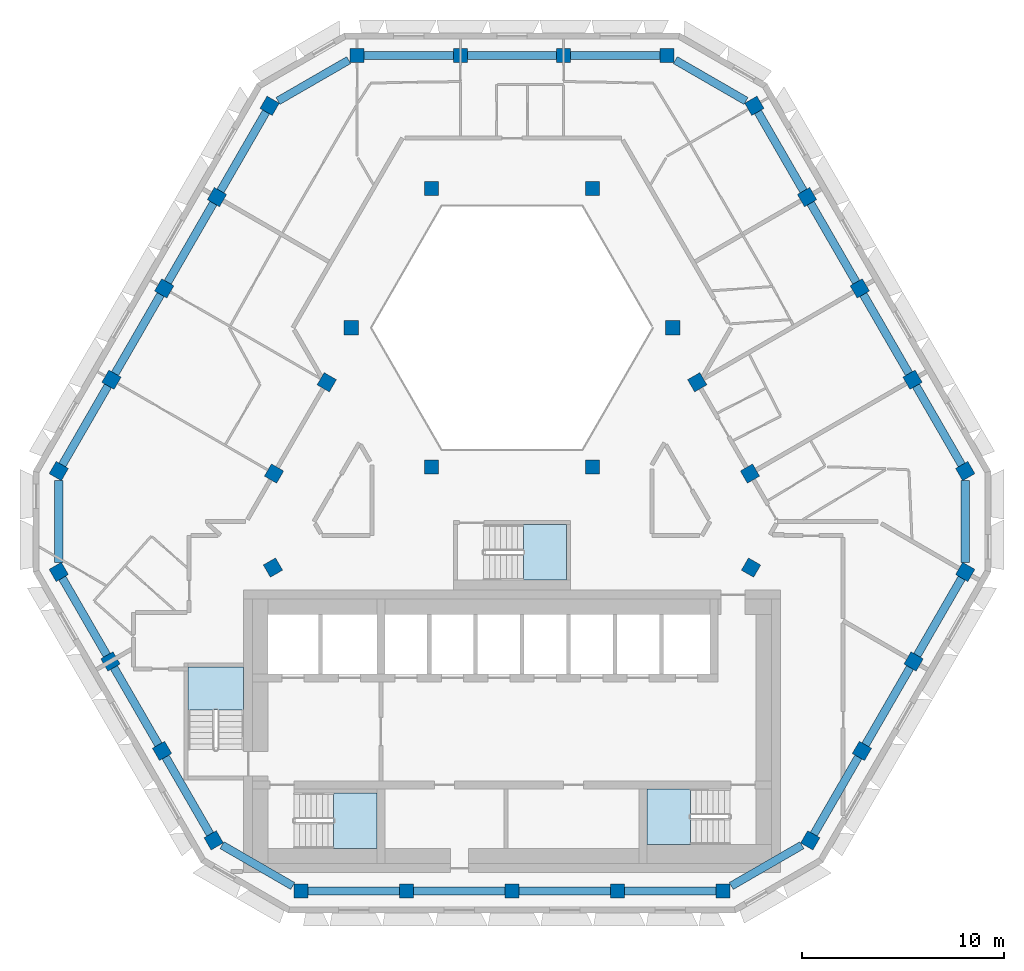
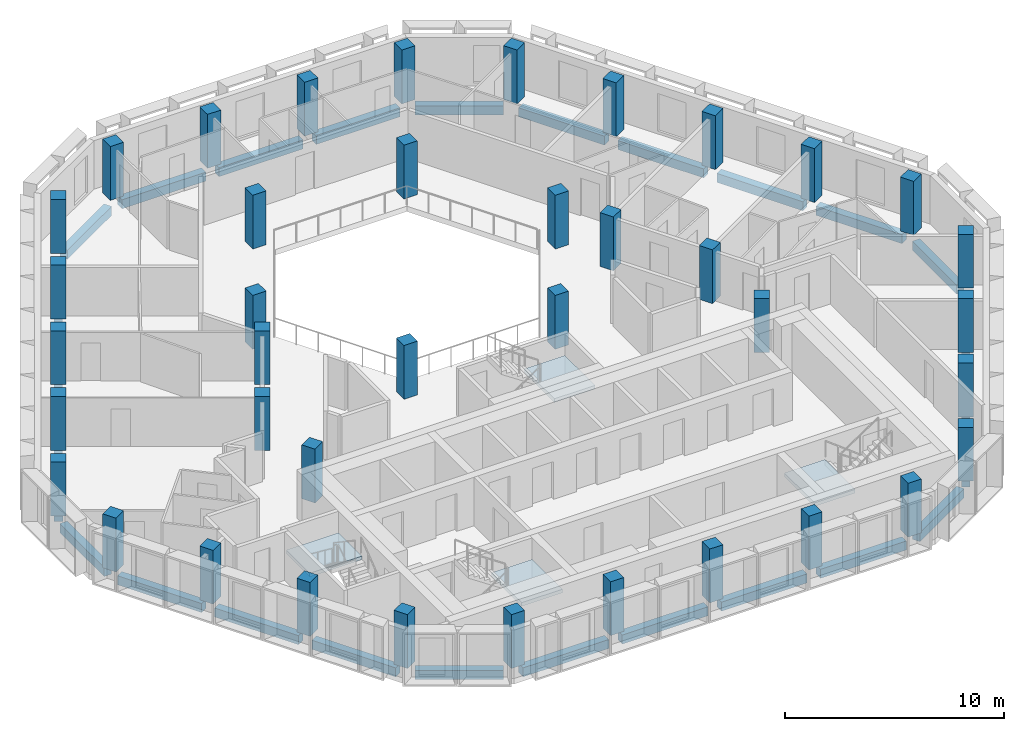
# One storey, part 1 of 14: 39 columns, 27 beams, 4 slabs, 4 elements without a shape of their own.
"""IFC4 building model written with IfcOpenShell, lengths in metres."""

import ifcopenshell
import ifcopenshell.guid

model = None  # the IFC model being written
_history = None  # IfcOwnerHistory: only IFC2X3 demands one
_inside = {}  # id of a spatial element -> (the spatial element, [elements in it])
_under = {}  # id of a project, library or spatial element -> (it, [spatial elements below it])
_declared = {}  # id of a project -> (the project, [libraries it declares])
_typed = {}  # id of a type object -> (the type object, [elements of that type])
_made_of = {}  # id of a material, layer set ... -> (it, [elements and type objects made of it])


def new_model(schema):
    """Start an empty IFC model of exactly this schema.

    Asked for "IFC4X3", IfcOpenShell would pick the latest addendum, in which some entities
    have other attributes; the version numbers below select the first issue.
    IFC2X3 requires an IfcOwnerHistory on every rooted entity: one is made here for all.
    """
    global model, _history
    if schema == "IFC4X3":
        model = ifcopenshell.file(schema_version=(4, 3, 0, 0))
    else:
        model = ifcopenshell.file(schema=schema)
    _inside.clear()
    _under.clear()
    _declared.clear()
    _typed.clear()
    _made_of.clear()
    _history = None
    if model.schema == "IFC2X3":
        org = make("IfcOrganization", Name="unknown")
        user = make(
            "IfcPersonAndOrganization",
            ThePerson=make("IfcPerson", FamilyName="unknown"),
            TheOrganization=org,
        )
        app = make(
            "IfcApplication",
            ApplicationDeveloper=org,
            Version="unknown",
            ApplicationFullName="unknown",
            ApplicationIdentifier="unknown",
        )
        _history = make(
            "IfcOwnerHistory",
            OwningUser=user,
            OwningApplication=app,
            ChangeAction="ADDED",
            CreationDate=0,
        )
    return model


def make(cls, **values):
    """One entity of the class cls with the attributes given. An attribute that is None is left unset."""
    return model.create_entity(
        cls, **{name: value for name, value in values.items() if value is not None}
    )


def rooted(cls, **values):
    """An entity with a GlobalId (a new one), such as an element, a storey or a relation."""
    return make(cls, GlobalId=ifcopenshell.guid.new(), OwnerHistory=_history, **values)


def si_unit(unit_type, name, prefix=None):
    """IfcSIUnit, for example si_unit("LENGTHUNIT", "METRE", prefix="MILLI")."""
    return make("IfcSIUnit", UnitType=unit_type, Prefix=prefix, Name=name)


def assignment(units):
    """IfcUnitAssignment: the units of a project."""
    return None if units is None else make("IfcUnitAssignment", Units=units)


def point(xyz):
    """IfcCartesianPoint."""
    return None if xyz is None else make("IfcCartesianPoint", Coordinates=xyz)


def direction(xyz):
    """IfcDirection."""
    return None if xyz is None else make("IfcDirection", DirectionRatios=xyz)


def frame(location, z_axis=None, x_axis=None):
    """IfcAxis2Placement3D, a coordinate frame: its origin and axes. An axis left out is left unset."""
    return make(
        "IfcAxis2Placement3D",
        Location=point(location),
        Axis=direction(z_axis),
        RefDirection=direction(x_axis),
    )


def frame_2d(location, x_axis=None):
    """IfcAxis2Placement2D, a coordinate frame in the plane: its origin and x axis."""
    return make(
        "IfcAxis2Placement2D", Location=point(location), RefDirection=direction(x_axis)
    )


def origin():
    """The frame at (0, 0, 0) with its axes left unset."""
    return frame((0.0, 0.0, 0.0))


def origin_2d():
    """The frame at (0, 0) in the plane with its x axis left unset."""
    return frame_2d((0.0, 0.0))


def place(relative_to, where):
    """IfcLocalPlacement: puts the frame where relative to a parent placement (None: the world)."""
    return make(
        "IfcLocalPlacement", PlacementRelTo=relative_to, RelativePlacement=where
    )


def context(
    kind, dimensions, precision=None, world=None, true_north=None, identifier=None
):
    """IfcGeometricRepresentationContext, for example the 3D "Model" context."""
    return make(
        "IfcGeometricRepresentationContext",
        ContextIdentifier=identifier,
        ContextType=kind,
        CoordinateSpaceDimension=dimensions,
        Precision=precision,
        WorldCoordinateSystem=world,
        TrueNorth=true_north,
    )


def subcontext(parent, identifier, kind, view, scale=None):
    """IfcGeometricRepresentationSubContext, for example "Body" below "Model"."""
    return make(
        "IfcGeometricRepresentationSubContext",
        ContextIdentifier=identifier,
        ContextType=kind,
        ParentContext=parent,
        TargetScale=scale,
        TargetView=view,
    )


def project(units=None, contexts=None):
    """IfcProject with its units and contexts."""
    return rooted(
        "IfcProject",
        Name="project",
        RepresentationContexts=contexts,
        UnitsInContext=assignment(units),
    )


def spatial(cls, under=None, at=None, **own):
    """A site, building, storey or space (cls), placed at a placement, below another one or the project."""
    s = rooted(cls, ObjectPlacement=at, **own)
    if under is not None:
        _under.setdefault(under.id(), (under, []))[1].append(s)
    return s


def polyline(points):
    """IfcPolyline through the points."""
    return make("IfcPolyline", Points=[point(p) for p in points])


def profile(cls, at=None, kind="AREA", **sizes):
    """A parametric profile (cls). Its sizes go by their IFC names, for example OverallWidth=200.0."""
    return make(cls, ProfileType=kind, Position=at, **sizes)


def rectangle(**sizes):
    """IfcRectangleProfileDef."""
    return profile("IfcRectangleProfileDef", **sizes)


def outline(outer, holes=None, kind="AREA"):
    """IfcArbitraryClosedProfileDef: a profile drawn as a closed curve; with holes, ...WithVoids."""
    if holes is None:
        return make("IfcArbitraryClosedProfileDef", ProfileType=kind, OuterCurve=outer)
    return make(
        "IfcArbitraryProfileDefWithVoids",
        ProfileType=kind,
        OuterCurve=outer,
        InnerCurves=holes,
    )


def extrude(swept, where, along, depth):
    """IfcExtrudedAreaSolid: the profile swept, set in the frame where, extruded along a direction by depth."""
    return make(
        "IfcExtrudedAreaSolid",
        SweptArea=swept,
        Position=where,
        ExtrudedDirection=direction(along),
        Depth=depth,
    )


def shape(context_of_items, identifier, shape_type, items):
    """IfcShapeRepresentation: the items that make up one representation, for example the "Body"."""
    return make(
        "IfcShapeRepresentation",
        ContextOfItems=context_of_items,
        RepresentationIdentifier=identifier,
        RepresentationType=shape_type,
        Items=items,
    )


def material(Name=None, Category=None):
    """IfcMaterial."""
    return make("IfcMaterial", Name=Name, Category=Category)


def layer(
    of_material, thickness, ventilated=None, Name=None, Category=None, Priority=None
):
    """IfcMaterialLayer: one layer of a wall or slab, of a material (None: an air gap)."""
    return make(
        "IfcMaterialLayer",
        Material=of_material,
        LayerThickness=thickness,
        IsVentilated=ventilated,
        Name=Name,
        Category=Category,
        Priority=Priority,
    )


def layer_set(layers, Name=None):
    """IfcMaterialLayerSet."""
    return make("IfcMaterialLayerSet", MaterialLayers=layers, LayerSetName=Name)


def material_profile(
    of_material, cross_section, Name=None, Category=None, Priority=None
):
    """IfcMaterialProfile: a cross section and its material."""
    return make(
        "IfcMaterialProfile",
        Name=Name,
        Material=of_material,
        Profile=cross_section,
        Priority=Priority,
        Category=Category,
    )


def profile_set(profiles, Name=None, composite=None):
    """IfcMaterialProfileSet."""
    return make(
        "IfcMaterialProfileSet",
        Name=Name,
        MaterialProfiles=profiles,
        CompositeProfile=composite,
    )


def made_of(thing, what):
    """Note that an element or type object is made of a material, layer set ...; save() writes the relation."""
    if what is not None:
        _made_of.setdefault(what.id(), (what, []))[1].append(thing)
    return thing


def type_object(cls, material=None, **own):
    """A type object (cls), such as IfcWallType, which elements share."""
    return made_of(rooted(cls, **own), material)


def element(
    cls,
    number,
    at=None,
    inside=None,
    cuts=None,
    type_object=None,
    material=None,
    context=None,
    identifier="Body",
    shape_type=None,
    held_by="IfcProductDefinitionShape",
    body=None,
    shapes=None,
    **own,
):
    """One element of the class cls, such as IfcWall. Its Tag is "e" and its number.

    at: its placement. inside: the storey or other place that contains it. cuts: it is an
    opening in that element (IfcRelVoidsElement). A single representation is given by context,
    identifier, shape_type and body (its items); several are given by shapes. held_by: the class
    of the entity that holds the representations. save() writes the other relations.
    """
    e = rooted(cls, Tag="e%d" % number, ObjectPlacement=at, **own)
    if body is not None:
        shapes = [shape(context, identifier, shape_type, body)]
    if shapes is not None:
        e.Representation = make(held_by, Representations=shapes)
    if inside is not None:
        _inside.setdefault(inside.id(), (inside, []))[1].append(e)
    if cuts is not None:
        rooted(
            "IfcRelVoidsElement", RelatingBuildingElement=cuts, RelatedOpeningElement=e
        )
    if type_object is not None:
        _typed.setdefault(type_object.id(), (type_object, []))[1].append(e)
    return made_of(e, material)


def aggregate(whole, parts):
    """IfcRelAggregates: a whole, such as a stair, and the parts it consists of."""
    return rooted("IfcRelAggregates", RelatingObject=whole, RelatedObjects=parts)


def save(model, path):
    """Write the relations noted so far, then the file.

    IfcRelAggregates (storeys below a building ...), IfcRelContainedInSpatialStructure (elements
    in a storey), IfcRelDefinesByType, IfcRelAssociatesMaterial and IfcRelDeclares: one each for
    every whole, place, type object, material and project.
    """
    for whole, parts in _under.values():
        aggregate(whole, parts)
    for where, things in _inside.values():
        rooted(
            "IfcRelContainedInSpatialStructure",
            RelatedElements=things,
            RelatingStructure=where,
        )
    for kind, things in _typed.values():
        rooted("IfcRelDefinesByType", RelatedObjects=things, RelatingType=kind)
    for what, things in _made_of.values():
        rooted("IfcRelAssociatesMaterial", RelatedObjects=things, RelatingMaterial=what)
    for by, libraries in _declared.values():
        rooted("IfcRelDeclares", RelatingContext=by, RelatedDefinitions=libraries)
    model.write(path)


model = new_model("IFC4")

# Units and contexts
model_context = context("Model", 3, precision=1e-05, world=origin(), true_north=direction((0.0, 1.0)))
body_context = subcontext(model_context, "Body", "Model", "MODEL_VIEW")
ifc_project = project(units=[si_unit("LENGTHUNIT", "METRE"), si_unit("AREAUNIT", "SQUARE_METRE"), si_unit("VOLUMEUNIT", "CUBIC_METRE"), si_unit("PLANEANGLEUNIT", "RADIAN"), si_unit("MASSUNIT", "GRAM", prefix="KILO")], contexts=[model_context])

# Site, building, storey
site_placement = place(None, origin())
site = spatial("IfcSite", under=ifc_project, at=site_placement, CompositionType="ELEMENT")
building_placement = place(site_placement, origin())
building = spatial("IfcBuilding", under=site, at=building_placement, Name="Beryl Residences", CompositionType="ELEMENT")
storey_placement = place(building_placement, frame((0.0, 0.0, 235.800048828125)))
storey = spatial("IfcBuildingStorey", under=building, at=storey_placement, Name="L73", CompositionType="ELEMENT", Elevation=235.800048828125)

# Columns
ifc_material_1 = material(Name="Concrete C50/60", Category="concrete")
ifc_material_profile_1 = material_profile(ifc_material_1, rectangle(XDim=0.699951171875, YDim=0.699951171875, at=origin_2d()))
ifc_profile_set_1 = profile_set([ifc_material_profile_1], Name="Concrete C50/60")
column_type_1 = type_object("IfcColumnType", Name="C5 tube column 700 x 700 C50/60", PredefinedType="COLUMN", material=ifc_profile_set_1)
for number, where, z_axis, x_axis, name in (
    (1, (7.678955078125, 21.5, 0.0), (0.0, 0.0, 1.0), (-1.0, 0.0, 0.0), "C5-N1 L73"),
    (2, (2.56005859375, 21.5, 0.0), (0.0, 0.0, 1.0), (-1.0, 0.0, 0.0), "C5-N2 L73"),
    (3, (-2.55908203125, 21.5, 0.0), (0.0, 0.0, 1.0), (-1.0, 0.0, 0.0), "C5-N3 L73"),
    (4, (-7.677978515625, 21.5, 0.0), (0.0, 0.0, 1.0), (-1.0, 0.0, 0.0), "C5-N4 L73"),
    (5, (-12.009033203125, 19.0, 0.0), (0.0, 0.0, 1.0), (-0.499969769706, -0.866042856549, 0.0), "C5-NW1 L73"),
    (6, (-14.62109375, 14.47509765625, 0.0), (0.0, 0.0, 1.0), (-0.499969769706, -0.866042856549, 0.0), "C5-NW2 L73"),
    (7, (-17.23291015625, 9.949951171875, 0.0), (0.0, 0.0, 1.0), (-0.499969769706, -0.866042856549, 0.0), "C5-NW3 L73"),
    (8, (-19.845947265625, 5.425048828125, 0.0), (0.0, 0.0, 1.0), (-0.499969769706, -0.866042856549, 0.0), "C5-NW4 L73"),
    (9, (-22.4580078125, 0.89990234375, 0.0), (0.0, 0.0, 1.0), (-0.499969769706, -0.866042856549, 0.0), "C5-NW5 L73"),
    (10, (-22.458984375, -4.10009765625, 0.0), (0.0, 0.0, 1.0), (0.499984884929, -0.866034130299, 0.0), "C5-SW1 L73"),
    (11, (-19.89892578125, -8.532958984375, 0.0), (0.0, 0.0, 1.0), (0.499984884929, -0.866034130299, 0.0), "C5-SW2 L73"),
    (12, (-17.340087890625, -12.966064453125, 0.0), (0.0, 0.0, 1.0), (0.499984884929, -0.866034130299, 0.0), "C5-SW3 L73"),
    (13, (-14.781005859375, -17.39892578125, 0.0), (0.0, 0.0, 1.0), (0.499984884929, -0.866034130299, 0.0), "C5-SW4 L73"),
    (14, (-10.449951171875, -19.89990234375, 0.0), (0.0, 0.0, 1.0), (1.0, 0.0, 0.0), "C5-S1 L73"),
    (15, (-5.22509765625, -19.89990234375, 0.0), (0.0, 0.0, 1.0), (1.0, 0.0, 0.0), "C5-S2 L73"),
    (16, (0.0, -19.89990234375, 0.0), (0.0, 0.0, 1.0), (1.0, 0.0, 0.0), "C5-S3 L73"),
    (17, (5.22509765625, -19.89990234375, 0.0), (0.0, 0.0, 1.0), (1.0, 0.0, 0.0), "C5-S4 L73"),
    (18, (10.449951171875, -19.89990234375, 0.0), (0.0, 0.0, 1.0), (1.0, 0.0, 0.0), "C5-S5 L73"),
    (19, (14.780029296875, -17.39990234375, 0.0), (0.0, 0.0, 1.0), (0.499984884929, 0.866034130299, 0.0), "C5-SE1 L73"),
    (20, (17.339111328125, -12.967041015625, 0.0), (0.0, 0.0, 1.0), (0.499984884929, 0.866034130299, 0.0), "C5-SE2 L73"),
    (21, (19.89892578125, -8.533935546875, 0.0), (0.0, 0.0, 1.0), (0.499984884929, 0.866034130299, 0.0), "C5-SE3 L73"),
    (22, (22.4580078125, -4.10107421875, 0.0), (0.0, 0.0, 1.0), (0.499984884929, 0.866034130299, 0.0), "C5-SE4 L73"),
    (23, (22.4580078125, 0.89990234375, 0.0), (0.0, 0.0, 1.0), (-0.499969769706, 0.866042856549, 0.0), "C5-NE1 L73"),
    (24, (19.845947265625, 5.425048828125, 0.0), (0.0, 0.0, 1.0), (-0.499969769706, 0.866042856549, 0.0), "C5-NE2 L73"),
    (25, (17.23291015625, 9.949951171875, 0.0), (0.0, 0.0, 1.0), (-0.499969769706, 0.866042856549, 0.0), "C5-NE3 L73"),
    (26, (14.62109375, 14.47509765625, 0.0), (0.0, 0.0, 1.0), (-0.499969769706, 0.866042856549, 0.0), "C5-NE4 L73"),
    (27, (12.009033203125, 19.0, 0.0), (0.0, 0.0, 1.0), (-0.499969769706, 0.866042856549, 0.0), "C5-NE5 L73"),
):
    element("IfcColumn", number, at=place(storey_placement, frame(where, z_axis=z_axis, x_axis=x_axis)), inside=storey, type_object=column_type_1, Name=name, PredefinedType="COLUMN", context=body_context, shape_type="SweptSolid", body=[
        extrude(rectangle(XDim=0.699951171875, YDim=0.699951171875, at=origin_2d()), origin(), (0.0, 0.0, 1.0), 3.0),
    ])
ifc_material_2 = material(Name="Concrete C50/60", Category="concrete")
ifc_material_profile_2 = material_profile(ifc_material_2, rectangle(XDim=0.699951171875, YDim=0.699951171875, at=origin_2d()))
ifc_profile_set_2 = profile_set([ifc_material_profile_2], Name="Concrete C50/60")
column_type_2 = type_object("IfcColumnType", Name="IC5 interior column 700 x 700 C50/60", PredefinedType="COLUMN", material=ifc_profile_set_2)
for number, where, z_axis, x_axis, name in (
    (28, (-11.844970703125, -3.883056640625, 0.0), (0.0, 0.0, 1.0), (0.499984884929, -0.866034130299, 0.0), "IC5-M01 L73"),
    (29, (11.844970703125, -3.884033203125, 0.0), (0.0, 0.0, 1.0), (0.499984884929, 0.866034130299, 0.0), "IC5-M02 L73"),
    (30, (11.7919921875, 0.77490234375, 0.0), (0.0, 0.0, 1.0), (-0.499969769706, 0.866042856549, 0.0), "IC5-M03 L73"),
    (31, (3.98388671875, 1.10009765625, 0.0), (0.0, 0.0, 1.0), (1.0, 0.0, 0.0), "IC5-A04 L73"),
    (32, (9.178955078125, 5.300048828125, 0.0), (0.0, 0.0, 1.0), (-0.499969769706, 0.866042856549, 0.0), "IC5-M05 L73"),
    (33, (7.967041015625, 8.0, 0.0), (0.0, 0.0, 1.0), (1.0, 0.0, 0.0), "IC5-A06 L73"),
    (34, (3.98388671875, 14.89990234375, 0.0), (0.0, 0.0, 1.0), (1.0, 0.0, 0.0), "IC5-A07 L73"),
    (35, (-3.98388671875, 14.89990234375, 0.0), (0.0, 0.0, 1.0), (1.0, 0.0, 0.0), "IC5-A08 L73"),
    (36, (-7.967041015625, 8.0, 0.0), (0.0, 0.0, 1.0), (1.0, 0.0, 0.0), "IC5-A09 L73"),
    (37, (-9.178955078125, 5.300048828125, 0.0), (0.0, 0.0, 1.0), (-0.499969769706, -0.866042856549, 0.0), "IC5-M10 L73"),
    (38, (-3.98388671875, 1.10009765625, 0.0), (0.0, 0.0, 1.0), (1.0, 0.0, 0.0), "IC5-A11 L73"),
    (39, (-11.7919921875, 0.77490234375, 0.0), (0.0, 0.0, 1.0), (-0.499969769706, -0.866042856549, 0.0), "IC5-M12 L73"),
):
    element("IfcColumn", number, at=place(storey_placement, frame(where, z_axis=z_axis, x_axis=x_axis)), inside=storey, type_object=column_type_2, Name=name, PredefinedType="COLUMN", context=body_context, shape_type="SweptSolid", body=[
        extrude(rectangle(XDim=0.699951171875, YDim=0.699951171875, at=origin_2d()), origin(), (0.0, 0.0, 1.0), 3.0),
    ])

# Beams
ifc_material_3 = material(Name="Concrete C50/60", Category="concrete")
ifc_material_profile_3 = material_profile(ifc_material_3, rectangle(XDim=0.39990234375, YDim=0.5, at=origin_2d()))
ifc_profile_set_3 = profile_set([ifc_material_profile_3], Name="Concrete C50/60")
beam_type = type_object("IfcBeamType", Name="SB5 spandrel beam 400 x 500 C50/60", PredefinedType="SPANDREL", material=ifc_profile_set_3)
beam_1_placement = place(storey_placement, frame((7.3291015625, 21.5, -0.550048828125), z_axis=(-1.0, 0.0, 0.0), x_axis=(0.0, -1.0, 0.0)))
element("IfcBeam", 40, at=beam_1_placement, inside=storey, type_object=beam_type, Name="SB5 L73 N-0", PredefinedType="SPANDREL", context=body_context, shape_type="SweptSolid", body=[
    extrude(rectangle(XDim=0.39990234375, YDim=0.5, at=origin_2d()), origin(), (0.0, 0.0, 1.0), 4.419189453125),
])
for number, where, z_axis, x_axis, name in (
    (41, (2.2099609375, 21.5, -0.550048828125), (-1.0, 0.0, 0.0), (0.0, -1.0, 0.0), "SB5 L73 N-1"),
    (42, (-2.908935546875, 21.5, -0.550048828125), (-1.0, 0.0, 0.0), (0.0, -1.0, 0.0), "SB5 L73 N-2"),
):
    element("IfcBeam", number, at=place(storey_placement, frame(where, z_axis=z_axis, x_axis=x_axis)), inside=storey, type_object=beam_type, Name=name, PredefinedType="SPANDREL", context=body_context, shape_type="SweptSolid", body=[
        extrude(rectangle(XDim=0.39990234375, YDim=0.5, at=origin_2d()), origin(), (0.0, 0.0, 1.0), 4.4189453125),
    ])
beam_2_placement = place(storey_placement, frame((-8.092041015625, 21.260986328125, -0.550048828125), z_axis=(-0.866073013527, -0.499917528438, 0.0), x_axis=(0.499917528438, -0.866073013527, 0.0)))
element("IfcBeam", 43, at=beam_2_placement, inside=storey, type_object=beam_type, Name="SB5 L73 N-3", PredefinedType="SPANDREL", context=body_context, shape_type="SweptSolid", body=[
    extrude(rectangle(XDim=0.39990234375, YDim=0.5, at=origin_2d()), origin(), (0.0, 0.0, 1.0), 4.044677734375),
])
beam_3_placement = place(storey_placement, frame((-12.18408203125, 18.697021484375, -0.550048828125), z_axis=(-0.499893710643, -0.866086761277, 0.0), x_axis=(0.866086761277, -0.499893710643, 0.0)))
element("IfcBeam", 44, at=beam_3_placement, inside=storey, type_object=beam_type, Name="SB5 L73 NW-0", PredefinedType="SPANDREL", context=body_context, shape_type="SweptSolid", body=[
    extrude(rectangle(XDim=0.39990234375, YDim=0.5, at=origin_2d()), origin(), (0.0, 0.0, 1.0), 4.52490234375),
])
beam_4_placement = place(storey_placement, frame((-14.7958984375, 14.172119140625, -0.550048828125), z_axis=(-0.499910821401, -0.866076884951, 0.0), x_axis=(0.866076884951, -0.499910821401, 0.0)))
element("IfcBeam", 45, at=beam_4_placement, inside=storey, type_object=beam_type, Name="SB5 L73 NW-1", PredefinedType="SPANDREL", context=body_context, shape_type="SweptSolid", body=[
    extrude(rectangle(XDim=0.39990234375, YDim=0.5, at=origin_2d()), origin(), (0.0, 0.0, 1.0), 4.525146484375),
])
beam_5_placement = place(storey_placement, frame((-17.407958984375, 9.64697265625, -0.550048828125), z_axis=(-0.500055572588, -0.865993316558, 0.0), x_axis=(0.865993316558, -0.500055572588, 0.0)))
element("IfcBeam", 46, at=beam_5_placement, inside=storey, type_object=beam_type, Name="SB5 L73 NW-2", PredefinedType="SPANDREL", context=body_context, shape_type="SweptSolid", body=[
    extrude(rectangle(XDim=0.39990234375, YDim=0.5, at=origin_2d()), origin(), (0.0, 0.0, 1.0), 4.525390625),
])
beam_6_placement = place(storey_placement, frame((-20.02099609375, 5.1220703125, -0.550048828125), z_axis=(-0.499870351634, -0.866100243365, 0.0), x_axis=(0.866100243365, -0.499870351634, 0.0)))
element("IfcBeam", 47, at=beam_6_placement, inside=storey, type_object=beam_type, Name="SB5 L73 NW-3", PredefinedType="SPANDREL", context=body_context, shape_type="SweptSolid", body=[
    extrude(rectangle(XDim=0.39990234375, YDim=0.5, at=origin_2d()), origin(), (0.0, 0.0, 1.0), 4.525146484375),
])
beam_7_placement = place(storey_placement, frame((-22.4580078125, 0.422119140625, -0.550048828125), z_axis=(-0.000241472978, -0.999999970845, 0.0), x_axis=(0.999999970845, -0.000241472978, 0.0)))
element("IfcBeam", 48, at=beam_7_placement, inside=storey, type_object=beam_type, Name="SB5 L73 NW-4", PredefinedType="SPANDREL", context=body_context, shape_type="SweptSolid", body=[
    extrude(rectangle(XDim=0.39990234375, YDim=0.5, at=origin_2d()), origin(), (0.0, 0.0, 1.0), 4.044189453125),
])
beam_8_placement = place(storey_placement, frame((-22.283935546875, -4.403076171875, -0.550048828125), z_axis=(0.500084296963, -0.86597672944, 0.0), x_axis=(0.86597672944, 0.500084296963, 0.0)))
element("IfcBeam", 49, at=beam_8_placement, inside=storey, type_object=beam_type, Name="SB5 L73 SW-0", PredefinedType="SPANDREL", context=body_context, shape_type="SweptSolid", body=[
    extrude(rectangle(XDim=0.39990234375, YDim=0.5, at=origin_2d()), origin(), (0.0, 0.0, 1.0), 4.419189453125),
])
beam_9_placement = place(storey_placement, frame((-19.72412109375, -8.8359375, -0.550048828125), z_axis=(0.49993607075, -0.866062310208, 0.0), x_axis=(0.866062310208, 0.49993607075, 0.0)))
element("IfcBeam", 50, at=beam_9_placement, inside=storey, type_object=beam_type, Name="SB5 L73 SW-1", PredefinedType="SPANDREL", context=body_context, shape_type="SweptSolid", body=[
    extrude(rectangle(XDim=0.39990234375, YDim=0.5, at=origin_2d()), origin(), (0.0, 0.0, 1.0), 4.4189453125),
])
beam_10_placement = place(storey_placement, frame((-17.1650390625, -13.26904296875, -0.550048828125), z_axis=(0.499918550948, -0.86607242331, 0.0), x_axis=(0.86607242331, 0.499918550948, 0.0)))
element("IfcBeam", 51, at=beam_10_placement, inside=storey, type_object=beam_type, Name="SB5 L73 SW-2", PredefinedType="SPANDREL", context=body_context, shape_type="SweptSolid", body=[
    extrude(rectangle(XDim=0.39990234375, YDim=0.5, at=origin_2d()), origin(), (0.0, 0.0, 1.0), 4.418701171875),
])
beam_11_placement = place(storey_placement, frame((-14.366943359375, -17.637939453125, -0.550048828125), z_axis=(0.865968468779, -0.500098601359, 0.0), x_axis=(0.500098601359, 0.865968468779, 0.0)))
element("IfcBeam", 52, at=beam_11_placement, inside=storey, type_object=beam_type, Name="SB5 L73 SW-3", PredefinedType="SPANDREL", context=body_context, shape_type="SweptSolid", body=[
    extrude(rectangle(XDim=0.39990234375, YDim=0.5, at=origin_2d()), origin(), (0.0, 0.0, 1.0), 4.045166015625),
])
beam_12_placement = place(storey_placement, frame((-10.10009765625, -19.89990234375, -0.550048828125), z_axis=(1.0, 0.0, 0.0), x_axis=(0.0, 1.0, 0.0)))
element("IfcBeam", 53, at=beam_12_placement, inside=storey, type_object=beam_type, Name="SB5 L73 S-0", PredefinedType="SPANDREL", context=body_context, shape_type="SweptSolid", body=[
    extrude(rectangle(XDim=0.39990234375, YDim=0.5, at=origin_2d()), origin(), (0.0, 0.0, 1.0), 4.525146484375),
])
for number, where, z_axis, x_axis, name in (
    (54, (-4.875, -19.89990234375, -0.550048828125), (1.0, 0.0, 0.0), (0.0, 1.0, 0.0), "SB5 L73 S-1"),
    (55, (0.35009765625, -19.89990234375, -0.550048828125), (1.0, 0.0, 0.0), (0.0, 1.0, 0.0), "SB5 L73 S-2"),
):
    element("IfcBeam", number, at=place(storey_placement, frame(where, z_axis=z_axis, x_axis=x_axis)), inside=storey, type_object=beam_type, Name=name, PredefinedType="SPANDREL", context=body_context, shape_type="SweptSolid", body=[
        extrude(rectangle(XDim=0.39990234375, YDim=0.5, at=origin_2d()), origin(), (0.0, 0.0, 1.0), 4.52490234375),
    ])
beam_13_placement = place(storey_placement, frame((5.574951171875, -19.89990234375, -0.550048828125), z_axis=(1.0, 0.0, 0.0), x_axis=(0.0, 1.0, 0.0)))
element("IfcBeam", 56, at=beam_13_placement, inside=storey, type_object=beam_type, Name="SB5 L73 S-3", PredefinedType="SPANDREL", context=body_context, shape_type="SweptSolid", body=[
    extrude(rectangle(XDim=0.39990234375, YDim=0.5, at=origin_2d()), origin(), (0.0, 0.0, 1.0), 4.525146484375),
])
beam_14_placement = place(storey_placement, frame((10.864013671875, -19.660888671875, -0.550048828125), z_axis=(0.866012652573, 0.500022085096, 0.0), x_axis=(-0.500022085096, 0.866012652573, 0.0)))
element("IfcBeam", 57, at=beam_14_placement, inside=storey, type_object=beam_type, Name="SB5 L73 S-4", PredefinedType="SPANDREL", context=body_context, shape_type="SweptSolid", body=[
    extrude(rectangle(XDim=0.39990234375, YDim=0.5, at=origin_2d()), origin(), (0.0, 0.0, 1.0), 4.043701171875),
])
beam_15_placement = place(storey_placement, frame((14.955078125, -17.096923828125, -0.550048828125), z_axis=(0.499918550948, 0.86607242331, 0.0), x_axis=(-0.86607242331, 0.499918550948, 0.0)))
element("IfcBeam", 58, at=beam_15_placement, inside=storey, type_object=beam_type, Name="SB5 L73 SE-0", PredefinedType="SPANDREL", context=body_context, shape_type="SweptSolid", body=[
    extrude(rectangle(XDim=0.39990234375, YDim=0.5, at=origin_2d()), origin(), (0.0, 0.0, 1.0), 4.418701171875),
])
beam_16_placement = place(storey_placement, frame((17.513916015625, -12.6640625, -0.550048828125), z_axis=(0.500101800387, 0.865966621326, 0.0), x_axis=(-0.865966621326, 0.500101800387, 0.0)))
element("IfcBeam", 59, at=beam_16_placement, inside=storey, type_object=beam_type, Name="SB5 L73 SE-1", PredefinedType="SPANDREL", context=body_context, shape_type="SweptSolid", body=[
    extrude(rectangle(XDim=0.39990234375, YDim=0.5, at=origin_2d()), origin(), (0.0, 0.0, 1.0), 4.41943359375),
])
beam_17_placement = place(storey_placement, frame((20.073974609375, -8.23095703125, -0.550048828125), z_axis=(0.499918550948, 0.86607242331, 0.0), x_axis=(-0.86607242331, 0.499918550948, 0.0)))
element("IfcBeam", 60, at=beam_17_placement, inside=storey, type_object=beam_type, Name="SB5 L73 SE-2", PredefinedType="SPANDREL", context=body_context, shape_type="SweptSolid", body=[
    extrude(rectangle(XDim=0.39990234375, YDim=0.5, at=origin_2d()), origin(), (0.0, 0.0, 1.0), 4.418701171875),
])
beam_18_placement = place(storey_placement, frame((22.4580078125, -3.623046875, -0.550048828125), z_axis=(0.0, 1.0, 0.0), x_axis=(-1.0, 0.0, 0.0)))
element("IfcBeam", 61, at=beam_18_placement, inside=storey, type_object=beam_type, Name="SB5 L73 SE-3", PredefinedType="SPANDREL", context=body_context, shape_type="SweptSolid", body=[
    extrude(rectangle(XDim=0.39990234375, YDim=0.5, at=origin_2d()), origin(), (0.0, 0.0, 1.0), 4.045166015625),
])
beam_19_placement = place(storey_placement, frame((22.282958984375, 1.202880859375, -0.550048828125), z_axis=(-0.499870351634, 0.866100243365, 0.0), x_axis=(-0.866100243365, -0.499870351634, 0.0)))
element("IfcBeam", 62, at=beam_19_placement, inside=storey, type_object=beam_type, Name="SB5 L73 NE-0", PredefinedType="SPANDREL", context=body_context, shape_type="SweptSolid", body=[
    extrude(rectangle(XDim=0.39990234375, YDim=0.5, at=origin_2d()), origin(), (0.0, 0.0, 1.0), 4.525146484375),
])
beam_20_placement = place(storey_placement, frame((19.6708984375, 5.72802734375, -0.550048828125), z_axis=(-0.500055572588, 0.865993316558, 0.0), x_axis=(-0.865993316558, -0.500055572588, 0.0)))
element("IfcBeam", 63, at=beam_20_placement, inside=storey, type_object=beam_type, Name="SB5 L73 NE-1", PredefinedType="SPANDREL", context=body_context, shape_type="SweptSolid", body=[
    extrude(rectangle(XDim=0.39990234375, YDim=0.5, at=origin_2d()), origin(), (0.0, 0.0, 1.0), 4.525390625),
])
beam_21_placement = place(storey_placement, frame((17.05810546875, 10.2529296875, -0.550048828125), z_axis=(-0.499910821401, 0.866076884951, 0.0), x_axis=(-0.866076884951, -0.499910821401, 0.0)))
element("IfcBeam", 64, at=beam_21_placement, inside=storey, type_object=beam_type, Name="SB5 L73 NE-2", PredefinedType="SPANDREL", context=body_context, shape_type="SweptSolid", body=[
    extrude(rectangle(XDim=0.39990234375, YDim=0.5, at=origin_2d()), origin(), (0.0, 0.0, 1.0), 4.525146484375),
])
beam_22_placement = place(storey_placement, frame((14.446044921875, 14.778076171875, -0.550048828125), z_axis=(-0.499893710643, 0.866086761277, 0.0), x_axis=(-0.866086761277, -0.499893710643, 0.0)))
element("IfcBeam", 65, at=beam_22_placement, inside=storey, type_object=beam_type, Name="SB5 L73 NE-3", PredefinedType="SPANDREL", context=body_context, shape_type="SweptSolid", body=[
    extrude(rectangle(XDim=0.39990234375, YDim=0.5, at=origin_2d()), origin(), (0.0, 0.0, 1.0), 4.52490234375),
])
beam_23_placement = place(storey_placement, frame((11.594970703125, 19.239013671875, -0.550048828125), z_axis=(-0.866012652573, 0.500022085096, 0.0), x_axis=(-0.500022085096, -0.866012652573, 0.0)))
element("IfcBeam", 66, at=beam_23_placement, inside=storey, type_object=beam_type, Name="SB5 L73 NE-4", PredefinedType="SPANDREL", context=body_context, shape_type="SweptSolid", body=[
    extrude(rectangle(XDim=0.39990234375, YDim=0.5, at=origin_2d()), origin(), (0.0, 0.0, 1.0), 4.043701171875),
])

# Stair, slab
ifc_material_4 = material(Name="Concrete C40/50", Category="concrete")
stair_type = type_object("IfcStairType", Name="ST1 protected exit stair, half-turn, 1300 mm flights", PredefinedType="HALF_TURN_STAIR", material=ifc_material_4)
stair_1_placement = place(storey_placement, origin())
stair_1 = element("IfcStair", 67, at=stair_1_placement, inside=storey, type_object=stair_type, Name="L73 PROTECTED EXIT STAIR ST-1", PredefinedType="HALF_TURN_STAIR")
ifc_material_5 = material(Name="Concrete C40/50", Category="concrete")
ifc_layer = layer(ifc_material_5, 0.199951171875)
ifc_layer_set = layer_set([ifc_layer], Name="SLD1 stair landing 200 mm")
slab_type = type_object("IfcSlabType", Name="SLD1 stair landing 200 mm", PredefinedType="LANDING", material=ifc_layer_set)
slab_1_placement = place(storey_placement, frame((0.0, 0.0, 1.300048828125)))
slab_1 = element("IfcSlab", 68, at=slab_1_placement, type_object=slab_type, Name="ST-1 landing 1", PredefinedType="LANDING", context=body_context, shape_type="SweptSolid", body=[
    extrude(outline(polyline([(-8.840087890625, -17.800048828125), (-6.699951171875, -17.800048828125), (-6.699951171875, -15.050048828125), (-8.840087890625, -15.050048828125), (-8.840087890625, -17.800048828125)])), origin(), (0.0, 0.0, 1.0), 0.199951171875),
])
aggregate(stair_1, [slab_1])

stair_2_placement = place(storey_placement, origin())
stair_2 = element("IfcStair", 69, at=stair_2_placement, inside=storey, type_object=stair_type, Name="L73 PROTECTED EXIT STAIR ST-2", PredefinedType="HALF_TURN_STAIR")
slab_2_placement = place(storey_placement, frame((0.0, 0.0, 1.300048828125)))
slab_2 = element("IfcSlab", 70, at=slab_2_placement, type_object=slab_type, Name="ST-2 landing 1", PredefinedType="LANDING", context=body_context, shape_type="SweptSolid", body=[
    extrude(outline(polyline([(-13.300048828125, -10.93994140625), (-13.300048828125, -8.800048828125), (-16.050048828125, -8.800048828125), (-16.050048828125, -10.93994140625), (-13.300048828125, -10.93994140625)])), origin(), (0.0, 0.0, 1.0), 0.199951171875),
])
aggregate(stair_2, [slab_2])

stair_3_placement = place(storey_placement, origin())
stair_3 = element("IfcStair", 71, at=stair_3_placement, inside=storey, type_object=stair_type, Name="L73 PROTECTED EXIT STAIR ST-3", PredefinedType="HALF_TURN_STAIR")
slab_3_placement = place(storey_placement, frame((0.0, 0.0, 1.300048828125)))
slab_3 = element("IfcSlab", 72, at=slab_3_placement, type_object=slab_type, Name="ST-3 landing 1", PredefinedType="LANDING", context=body_context, shape_type="SweptSolid", body=[
    extrude(outline(polyline([(8.840087890625, -14.85009765625), (6.699951171875, -14.85009765625), (6.699951171875, -17.60009765625), (8.840087890625, -17.60009765625), (8.840087890625, -14.85009765625)])), origin(), (0.0, 0.0, 1.0), 0.199951171875),
])
aggregate(stair_3, [slab_3])

stair_4_placement = place(storey_placement, origin())
stair_4 = element("IfcStair", 73, at=stair_4_placement, inside=storey, type_object=stair_type, Name="L73 PROTECTED EXIT STAIR ST-4", PredefinedType="HALF_TURN_STAIR")
slab_4_placement = place(storey_placement, frame((0.0, 0.0, 1.300048828125)))
slab_4 = element("IfcSlab", 74, at=slab_4_placement, type_object=slab_type, Name="ST-4 landing 1", PredefinedType="LANDING", context=body_context, shape_type="SweptSolid", body=[
    extrude(outline(polyline([(0.56005859375, -4.5), (2.699951171875, -4.5), (2.699951171875, -1.75), (0.56005859375, -1.75), (0.56005859375, -4.5)])), origin(), (0.0, 0.0, 1.0), 0.199951171875),
])
aggregate(stair_4, [slab_4])

save(model, "model.ifc")
